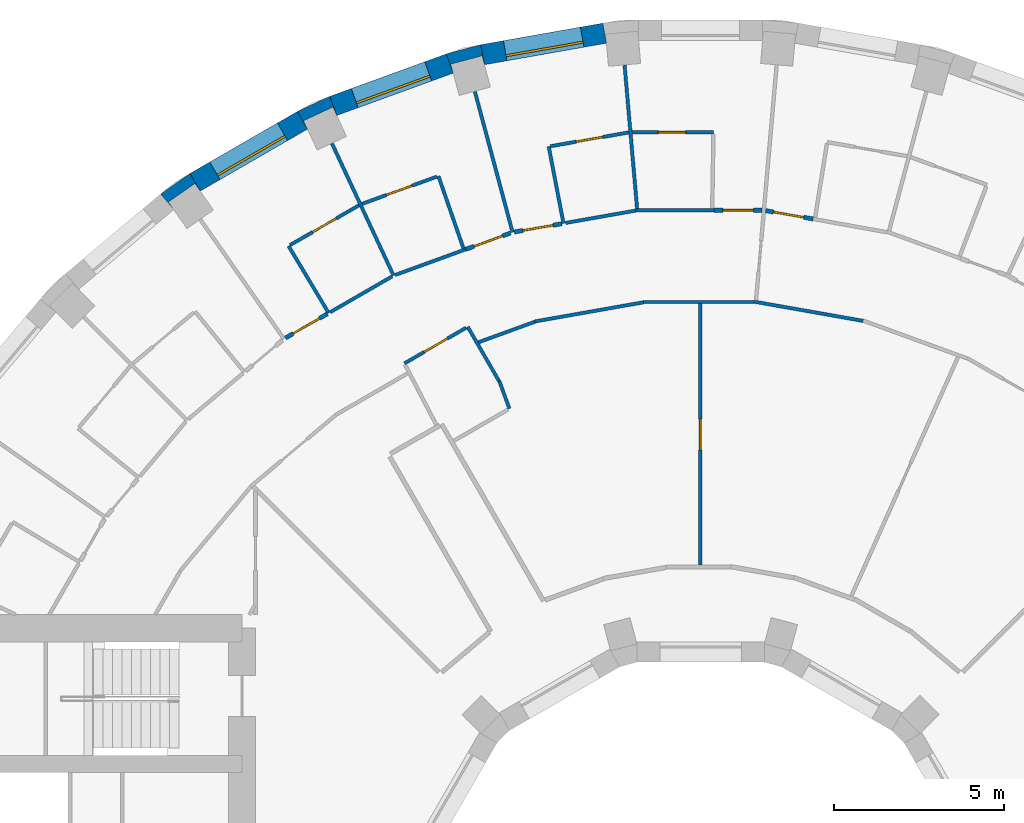
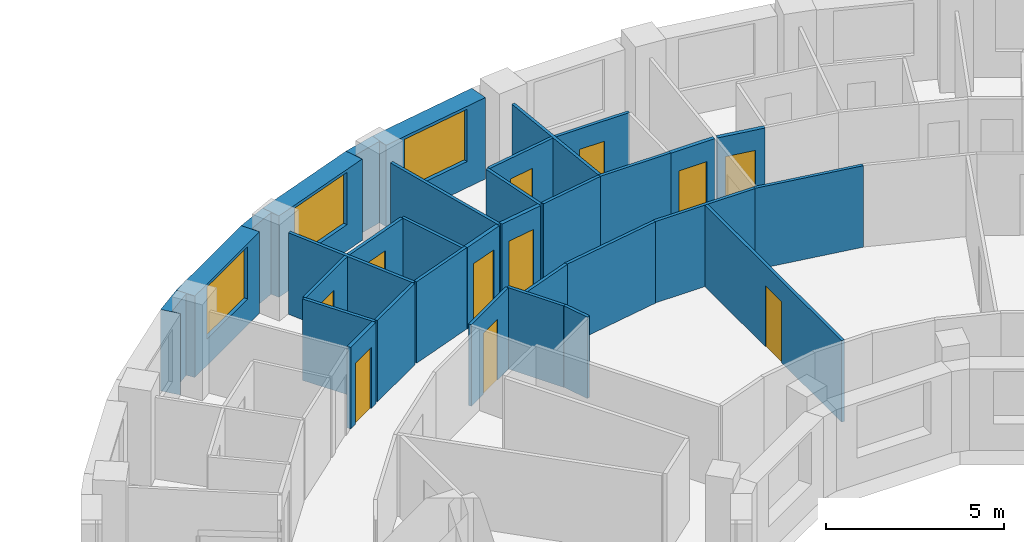
# One storey, part 9 of 13: 33 walls, 11 doors, 3 windows, 14 openings.
"""IFC4 building model written with IfcOpenShell, lengths in metres."""

from ifc_helpers import new_model, si_unit, direction, frame, frame_2d, origin, place, context, subcontext, project, spatial, polyline, rectangle, outline, extrude, material, layer, layer_set, type_object, element, fill, save


model = new_model("IFC4")

# Units and contexts
model_context = context("Model", 3, precision=1e-05, world=origin(), true_north=direction((0.0, 1.0)))
body_context = subcontext(model_context, "Body", "Model", "MODEL_VIEW")
ifc_project = project(units=[si_unit("LENGTHUNIT", "METRE"), si_unit("AREAUNIT", "SQUARE_METRE"), si_unit("VOLUMEUNIT", "CUBIC_METRE"), si_unit("PLANEANGLEUNIT", "RADIAN"), si_unit("MASSUNIT", "GRAM", prefix="KILO")], contexts=[model_context])

# Site, building, storey
site_placement = place(None, origin())
site = spatial("IfcSite", under=ifc_project, at=site_placement, CompositionType="ELEMENT")
building_placement = place(site_placement, origin())
building = spatial("IfcBuilding", under=site, at=building_placement, Name="Saqina Gate Tower", CompositionType="ELEMENT")
storey_placement = place(building_placement, frame((0.0, 0.0, 118.300048828125)))
storey = spatial("IfcBuildingStorey", under=building, at=storey_placement, Name="L33", CompositionType="ELEMENT", Elevation=118.300048828125)

# Walls
ifc_material_1 = material(Name="Brick masonry (buff)", Category="masonry")
wall_type_1 = type_object("IfcWallType", Name="BRICK PIER COPING BUFF", PredefinedType="SOLIDWALL", material=ifc_material_1)
wall_1_placement = place(storey_placement, origin())
element("IfcWall", 1, at=wall_1_placement, inside=storey, type_object=wall_type_1, Name="Pier cap L33 column 11", PredefinedType="SOLIDWALL", context=body_context, shape_type="SweptSolid", body=[
    extrude(outline(polyline([(-6.466796875, 26.171875), (-7.485595703125, 25.89892578125), (-7.2802734375, 25.335205078125), (-7.349853515625, 25.5947265625), (-6.43212890625, 25.8408203125), (-6.36279296875, 25.5810546875), (-6.466796875, 26.171875)])), origin(), (0.0, 0.0, 1.0), 2.800048828125),
])
wall_2_placement = place(storey_placement, origin())
element("IfcWall", 2, at=wall_2_placement, inside=storey, type_object=wall_type_1, Name="Pier cap L33 column 12", PredefinedType="SOLIDWALL", context=body_context, shape_type="SweptSolid", body=[
    extrude(outline(polyline([(-10.913330078125, 24.6513671875), (-11.869140625, 24.205810546875), (-11.569091796875, 23.68603515625), (-11.6826171875, 23.9296875), (-10.82177734375, 24.331298828125), (-10.7080078125, 24.08740234375), (-10.913330078125, 24.6513671875)])), origin(), (0.0, 0.0, 1.0), 2.800048828125),
])
wall_3_placement = place(storey_placement, origin())
element("IfcWall", 3, at=wall_3_placement, inside=storey, type_object=wall_type_1, Name="Pier cap L33 column 13", PredefinedType="SOLIDWALL", context=body_context, shape_type="SweptSolid", body=[
    extrude(outline(polyline([(-15.89208984375, 21.77685546875), (-15.50634765625, 21.317138671875), (-15.66064453125, 21.53759765625), (-14.88232421875, 22.08251953125), (-14.728271484375, 21.862060546875), (-15.0283203125, 22.3818359375), (-15.89208984375, 21.77685546875)])), origin(), (0.0, 0.0, 1.0), 2.800048828125),
])

# Wall, opening, window
ifc_material_2 = material(Name="Brick masonry (buff)", Category="masonry")
ifc_layer_1 = layer(ifc_material_2, 0.60009765625)
ifc_layer_set_1 = layer_set([ifc_layer_1], Name="FW-BRICK-BUFF")
wall_type_2 = type_object("IfcWallType", Name="FW-BRICK-BUFF", PredefinedType="SOLIDWALL", material=ifc_layer_set_1)
wall_4_placement = place(storey_placement, frame((-2.822265625, 26.510009765625, 0.0), z_axis=(0.0, 0.0, 1.0), x_axis=(-0.984803764455, -0.173670796382, 0.0)))
wall_4 = element("IfcWall", 4, at=wall_4_placement, inside=storey, type_object=wall_type_2, Name="Facade wall L33 facet 10", PredefinedType="SOLIDWALL", context=body_context, shape_type="SweptSolid", body=[
    extrude(rectangle(XDim=3.64794921875, YDim=0.60009765625, at=frame_2d((1.823974609375, 0.0))), origin(), (0.0, 0.0, 1.0), 2.800048828125),
])
opening_1_placement = place(wall_4_placement, frame((0.673828125, 0.0, 0.89990234375)))
opening_1 = element("IfcOpeningElement", 5, at=opening_1_placement, cuts=wall_4, Name="Opening G09-W08", PredefinedType="OPENING", context=body_context, shape_type="SweptSolid", body=[
    extrude(rectangle(XDim=2.300048828125, YDim=1.800048828125, at=frame_2d((1.14990234375, 0.89990234375))), frame((0.0, 0.31201171875, 0.0), z_axis=(0.0, -1.0, 0.0), x_axis=(1.0, 0.0, 0.0)), (0.0, 0.0, 1.0), 0.6240234375),
])
ifc_material_3 = material(Name="Aluminium glazing", Category="aluminium")
window_type = type_object("IfcWindowType", Name="WN-B", PartitioningType="SINGLE_PANEL", PredefinedType="WINDOW", material=ifc_material_3)
window_1_placement = place(opening_1_placement, origin())
window_1 = element("IfcWindow", 6, at=window_1_placement, inside=storey, type_object=window_type, Name="Window L33 facet 10", OverallHeight=1.800048828125, OverallWidth=2.300048828125, PartitioningType="SINGLE_PANEL", PredefinedType="WINDOW", context=body_context, shape_type="SweptSolid", body=[
    extrude(rectangle(XDim=2.300048828125, YDim=1.800048828125, at=frame_2d((1.14990234375, 0.89990234375))), frame((0.0, 0.179931640625, 0.0), z_axis=(0.0, -1.0, 0.0), x_axis=(1.0, 0.0, 0.0)), (0.0, 0.0, 1.0), 0.06005859375),
])
fill(opening_1, window_1)

wall_5_placement = place(storey_placement, frame((-7.3828125, 25.616943359375, 0.0), z_axis=(0.0, 0.0, 1.0), x_axis=(-0.939703505393, -0.341990236633, 0.0)))
wall_5 = element("IfcWall", 7, at=wall_5_placement, inside=storey, type_object=wall_type_2, Name="Facade wall L33 facet 11", PredefinedType="SOLIDWALL", context=body_context, shape_type="SweptSolid", body=[
    extrude(rectangle(XDim=3.64794921875, YDim=0.60009765625, at=frame_2d((1.823974609375, 0.0))), origin(), (0.0, 0.0, 1.0), 2.800048828125),
])
opening_2_placement = place(wall_5_placement, frame((0.673828125, 0.0, 0.89990234375)))
opening_2 = element("IfcOpeningElement", 8, at=opening_2_placement, cuts=wall_5, Name="Opening G09-W09", PredefinedType="OPENING", context=body_context, shape_type="SweptSolid", body=[
    extrude(rectangle(XDim=2.300048828125, YDim=1.800048828125, at=frame_2d((1.14990234375, 0.89990234375))), frame((0.0, 0.31201171875, 0.0), z_axis=(0.0, -1.0, 0.0), x_axis=(1.0, 0.0, 0.0)), (0.0, 0.0, 1.0), 0.6240234375),
])
window_2_placement = place(opening_2_placement, origin())
window_2 = element("IfcWindow", 9, at=window_2_placement, inside=storey, type_object=window_type, Name="Window L33 facet 11", OverallHeight=1.800048828125, OverallWidth=2.300048828125, PartitioningType="SINGLE_PANEL", PredefinedType="WINDOW", context=body_context, shape_type="SweptSolid", body=[
    extrude(rectangle(XDim=2.300048828125, YDim=1.800048828125, at=frame_2d((1.14990234375, 0.89990234375))), frame((0.0, 0.179931640625, 0.0), z_axis=(0.0, -1.0, 0.0), x_axis=(1.0, 0.0, 0.0)), (0.0, 0.0, 1.0), 0.06005859375),
])
fill(opening_2, window_2)

wall_6_placement = place(storey_placement, frame((-11.718994140625, 23.94580078125, 0.0), z_axis=(0.0, 0.0, 1.0), x_axis=(-0.866051847062, -0.499954196102, 0.0)))
wall_6 = element("IfcWall", 10, at=wall_6_placement, inside=storey, type_object=wall_type_2, Name="Facade wall L33 facet 12", PredefinedType="SOLIDWALL", context=body_context, shape_type="SweptSolid", body=[
    extrude(rectangle(XDim=3.647705078125, YDim=0.60009765625, at=frame_2d((1.82373046875, 0.0))), origin(), (0.0, 0.0, 1.0), 2.800048828125),
])
opening_3_placement = place(wall_6_placement, frame((0.673828125, 0.0, 0.89990234375)))
opening_3 = element("IfcOpeningElement", 11, at=opening_3_placement, cuts=wall_6, Name="Opening G09-W10", PredefinedType="OPENING", context=body_context, shape_type="SweptSolid", body=[
    extrude(rectangle(XDim=2.300048828125, YDim=1.800048828125, at=frame_2d((1.14990234375, 0.89990234375))), frame((0.0, 0.31201171875, 0.0), z_axis=(0.0, -1.0, 0.0), x_axis=(1.0, 0.0, 0.0)), (0.0, 0.0, 1.0), 0.6240234375),
])
window_3_placement = place(opening_3_placement, origin())
window_3 = element("IfcWindow", 12, at=window_3_placement, inside=storey, type_object=window_type, Name="Window L33 facet 12", OverallHeight=1.800048828125, OverallWidth=2.300048828125, PartitioningType="SINGLE_PANEL", PredefinedType="WINDOW", context=body_context, shape_type="SweptSolid", body=[
    extrude(rectangle(XDim=2.300048828125, YDim=1.800048828125, at=frame_2d((1.14990234375, 0.89990234375))), frame((0.0, 0.179931640625, 0.0), z_axis=(0.0, -1.0, 0.0), x_axis=(1.0, 0.0, 0.0)), (0.0, 0.0, 1.0), 0.06005859375),
])
fill(opening_3, window_3)

# Wall, opening, door
ifc_material_4 = material(Name="Gypsum board on steel studs, 100 mm", Category="steel")
ifc_layer_2 = layer(ifc_material_4, 0.10009765625)
ifc_layer_set_2 = layer_set([ifc_layer_2], Name="PARTITION 100")
wall_type_3 = type_object("IfcWallType", Name="PARTITION 100", PredefinedType="PARTITIONING", material=ifc_layer_set_2)
wall_7_placement = place(storey_placement, frame((-0.010986328125, 18.549072265625, 0.0), z_axis=(0.0, 0.0, 1.0), x_axis=(0.00063524317, -0.999999798233, 0.0)))
wall_7 = element("IfcWall", 13, at=wall_7_placement, inside=storey, type_object=wall_type_3, Name="PARTITION PW3-01", PredefinedType="PARTITIONING", context=body_context, shape_type="SweptSolid", body=[
    extrude(rectangle(XDim=7.6865234375, YDim=0.10009765625, at=frame_2d((3.84326171875, 0.0))), origin(), (0.0, 0.0, 1.0), 2.800048828125),
])
opening_4_placement = place(wall_7_placement, frame((3.400390625, 0.0, 0.0)))
opening_4 = element("IfcOpeningElement", 14, at=opening_4_placement, cuts=wall_7, Name="Opening G09-D12", PredefinedType="OPENING", context=body_context, shape_type="SweptSolid", body=[
    extrude(rectangle(XDim=0.89990234375, YDim=2.10009765625, at=frame_2d((0.449951171875, 1.050048828125))), frame((0.0, 0.06201171875, 0.0), z_axis=(0.0, -1.0, 0.0), x_axis=(1.0, 0.0, 0.0)), (0.0, 0.0, 1.0), 0.1240234375),
])
ifc_material_5 = material(Name="Timber door leaf, 900 mm", Category="wood")
door_type_1 = type_object("IfcDoorType", Name="DOOR 900 TIMBER", OperationType="SINGLE_SWING_LEFT", PredefinedType="DOOR", material=ifc_material_5)
door_1_placement = place(opening_4_placement, frame((0.89990234375, 0.0, 0.0), z_axis=(0.0, 0.0, 1.0), x_axis=(-1.0, 0.0, 0.0)))
door_1 = element("IfcDoor", 15, at=door_1_placement, inside=storey, type_object=door_type_1, Name="DOOR G09-D12", OperationType="SINGLE_SWING_LEFT", OverallHeight=2.10009765625, OverallWidth=0.89990234375, PredefinedType="DOOR", context=body_context, shape_type="SweptSolid", body=[
    extrude(rectangle(XDim=0.89990234375, YDim=2.10009765625, at=frame_2d((0.449951171875, 1.050048828125))), frame((0.0, 0.02490234375, 0.0), z_axis=(0.0, -1.0, 0.0), x_axis=(1.0, 0.0, 0.0)), (0.0, 0.0, 1.0), 0.050048828125),
])
fill(opening_4, door_1)

# Walls
wall_8_placement = place(storey_placement, frame((-2.2373046875, 25.5673828125, 0.0), z_axis=(0.0, 0.0, 1.0), x_axis=(0.087069733525, -0.996202219182, 0.0)))
element("IfcWall", 16, at=wall_8_placement, inside=storey, type_object=wall_type_3, Name="PARTITION PW3-03", PredefinedType="PARTITIONING", context=body_context, shape_type="SweptSolid", body=[
    extrude(rectangle(XDim=4.23681640625, YDim=0.10009765625, at=frame_2d((2.118408203125, 0.0))), origin(), (0.0, 0.0, 1.0), 2.800048828125),
])
wall_9_placement = place(storey_placement, frame((-4.469970703125, 23.173095703125, 0.0), z_axis=(0.0, 0.0, 1.0), x_axis=(0.189111104653, -0.981955696606, 0.0)))
element("IfcWall", 17, at=wall_9_placement, inside=storey, type_object=wall_type_3, Name="PARTITION PW3-05", PredefinedType="PARTITIONING", context=body_context, shape_type="SweptSolid", body=[
    extrude(rectangle(XDim=2.300537109375, YDim=0.10009765625, at=frame_2d((1.150390625, 0.0))), origin(), (0.0, 0.0, 1.0), 2.800048828125),
])
wall_10_placement = place(storey_placement, frame((-6.642333984375, 24.79052734375, 0.0), z_axis=(0.0, 0.0, 1.0), x_axis=(0.258796817064, -0.965931782, 0.0)))
element("IfcWall", 18, at=wall_10_placement, inside=storey, type_object=wall_type_3, Name="PARTITION PW3-06", PredefinedType="PARTITIONING", context=body_context, shape_type="SweptSolid", body=[
    extrude(rectangle(XDim=4.28662109375, YDim=0.10009765625, at=frame_2d((2.143310546875, 0.0))), origin(), (0.0, 0.0, 1.0), 2.800048828125),
])
wall_11_placement = place(storey_placement, frame((-7.715087890625, 22.303955078125, 0.0), z_axis=(0.0, 0.0, 1.0), x_axis=(0.326980146938, -0.94503120769, 0.0)))
element("IfcWall", 19, at=wall_11_placement, inside=storey, type_object=wall_type_3, Name="PARTITION PW3-07", PredefinedType="PARTITIONING", context=body_context, shape_type="SweptSolid", body=[
    extrude(rectangle(XDim=2.25048828125, YDim=0.10009765625, at=frame_2d((1.125244140625, 0.0))), origin(), (0.0, 0.0, 1.0), 2.800048828125),
])
wall_12_placement = place(storey_placement, frame((-5.92529296875, 16.27880859375, 0.0), z_axis=(0.0, 0.0, 1.0), x_axis=(0.3425983225, -0.939481979295, 0.0)))
element("IfcWall", 20, at=wall_12_placement, inside=storey, type_object=wall_type_3, Name="PARTITION PW3-08", PredefinedType="PARTITIONING", context=body_context, shape_type="SweptSolid", body=[
    extrude(rectangle(XDim=0.870849609375, YDim=0.10009765625, at=frame_2d((0.435546875, 0.0))), origin(), (0.0, 0.0, 1.0), 2.800048828125),
])
wall_13_placement = place(storey_placement, frame((-10.84716796875, 23.260009765625, 0.0), z_axis=(0.0, 0.0, 1.0), x_axis=(0.422829334028, -0.906209332487, 0.0)))
element("IfcWall", 21, at=wall_13_placement, inside=storey, type_object=wall_type_3, Name="PARTITION PW3-09", PredefinedType="PARTITIONING", context=body_context, shape_type="SweptSolid", body=[
    extrude(rectangle(XDim=4.2861328125, YDim=0.10009765625, at=frame_2d((2.14306640625, 0.0))), origin(), (0.0, 0.0, 1.0), 2.800048828125),
])
wall_14_placement = place(storey_placement, frame((-6.85302734375, 17.867919921875, 0.0), z_axis=(0.0, 0.0, 1.0), x_axis=(0.499963655964, -0.866046386007, 0.0)))
element("IfcWall", 22, at=wall_14_placement, inside=storey, type_object=wall_type_3, Name="PARTITION PW3-13", PredefinedType="PARTITIONING", context=body_context, shape_type="SweptSolid", body=[
    extrude(rectangle(XDim=1.840087890625, YDim=0.10009765625, at=frame_2d((0.919921875, 0.0))), origin(), (0.0, 0.0, 1.0), 2.800048828125),
])
wall_15_placement = place(storey_placement, frame((-12.1259765625, 20.2470703125, 0.0), z_axis=(0.0, 0.0, 1.0), x_axis=(0.513668498435, -0.857988737522, 0.0)))
element("IfcWall", 23, at=wall_15_placement, inside=storey, type_object=wall_type_3, Name="PARTITION PW3-15", PredefinedType="PARTITIONING", context=body_context, shape_type="SweptSolid", body=[
    extrude(rectangle(XDim=2.30078125, YDim=0.10009765625, at=frame_2d((1.150390625, 0.0))), origin(), (0.0, 0.0, 1.0), 2.800048828125),
])
wall_16_placement = place(storey_placement, frame((1.576904296875, 18.60791015625, 0.0), z_axis=(0.0, 0.0, 1.0), x_axis=(0.984812236301, -0.173622749755, 0.0)))
element("IfcWall", 24, at=wall_16_placement, inside=storey, type_object=wall_type_3, Name="PARTITION PW3-49", PredefinedType="PARTITIONING", context=body_context, shape_type="SweptSolid", body=[
    extrude(rectangle(XDim=3.25537109375, YDim=0.10009765625, at=frame_2d((1.627685546875, 0.0))), origin(), (0.0, 0.0, 1.0), 2.800048828125),
])
wall_17_placement = place(storey_placement, frame((-1.677734375, 18.59912109375, 0.0), z_axis=(0.0, 0.0, 1.0), x_axis=(1.0, 0.0, 0.0)))
element("IfcWall", 25, at=wall_17_placement, inside=storey, type_object=wall_type_3, Name="PARTITION PW3-55", PredefinedType="PARTITIONING", context=body_context, shape_type="SweptSolid", body=[
    extrude(rectangle(XDim=3.254638671875, YDim=0.10009765625, at=frame_2d((1.62744140625, 0.0))), origin(), (0.0, 0.0, 1.0), 2.800048828125),
])
wall_18_placement = place(storey_placement, frame((-1.913818359375, 21.297119140625, 0.0), z_axis=(0.0, 0.0, 1.0), x_axis=(1.0, 0.0, 0.0)))
element("IfcWall", 26, at=wall_18_placement, inside=storey, type_object=wall_type_3, Name="PARTITION PW3-56", PredefinedType="PARTITIONING", context=body_context, shape_type="SweptSolid", body=[
    extrude(rectangle(XDim=2.304931640625, YDim=0.10009765625, at=frame_2d((1.15234375, 0.0))), origin(), (0.0, 0.0, 1.0), 2.800048828125),
])

# Wall, opening, door
wall_19_placement = place(storey_placement, frame((-2.013916015625, 23.596923828125, 0.0), z_axis=(0.0, 0.0, 1.0), x_axis=(1.0, 0.0, 0.0)))
wall_19 = element("IfcWall", 27, at=wall_19_placement, inside=storey, type_object=wall_type_3, Name="PARTITION PW3-57", PredefinedType="PARTITIONING", context=body_context, shape_type="SweptSolid", body=[
    extrude(rectangle(XDim=2.391845703125, YDim=0.10009765625, at=frame_2d((1.19580078125, 0.0))), origin(), (0.0, 0.0, 1.0), 2.800048828125),
])
opening_5_placement = place(wall_19_placement, frame((0.77099609375, 0.0, 0.0)))
opening_5 = element("IfcOpeningElement", 28, at=opening_5_placement, cuts=wall_19, Name="Opening G09-D13", PredefinedType="OPENING", context=body_context, shape_type="SweptSolid", body=[
    extrude(rectangle(XDim=0.800048828125, YDim=2.10009765625, at=frame_2d((0.39990234375, 1.050048828125))), frame((0.0, 0.06201171875, 0.0), z_axis=(0.0, -1.0, 0.0), x_axis=(1.0, 0.0, 0.0)), (0.0, 0.0, 1.0), 0.1240234375),
])
ifc_material_6 = material(Name="Timber door leaf, 800 mm", Category="wood")
door_type_2 = type_object("IfcDoorType", Name="DOOR 800 TIMBER", OperationType="SINGLE_SWING_LEFT", PredefinedType="DOOR", material=ifc_material_6)
door_2_placement = place(opening_5_placement, origin())
door_2 = element("IfcDoor", 29, at=door_2_placement, inside=storey, type_object=door_type_2, Name="DOOR G09-D13", OperationType="SINGLE_SWING_LEFT", OverallHeight=2.10009765625, OverallWidth=0.800048828125, PredefinedType="DOOR", context=body_context, shape_type="SweptSolid", body=[
    extrude(rectangle(XDim=0.800048828125, YDim=2.10009765625, at=frame_2d((0.39990234375, 1.050048828125))), frame((0.0, 0.02490234375, 0.0), z_axis=(0.0, -1.0, 0.0), x_axis=(1.0, 0.0, 0.0)), (0.0, 0.0, 1.0), 0.050048828125),
])
fill(opening_5, door_2)

# Walls
wall_20_placement = place(storey_placement, frame((-4.882080078125, 18.025146484375, 0.0), z_axis=(0.0, 0.0, 1.0), x_axis=(0.984812236301, 0.173622749755, 0.0)))
element("IfcWall", 30, at=wall_20_placement, inside=storey, type_object=wall_type_3, Name="PARTITION PW3-61", PredefinedType="PARTITIONING", context=body_context, shape_type="SweptSolid", body=[
    extrude(rectangle(XDim=3.25537109375, YDim=0.10009765625, at=frame_2d((1.627685546875, 0.0))), origin(), (0.0, 0.0, 1.0), 2.800048828125),
])
wall_21_placement = place(storey_placement, frame((-3.973388671875, 20.9248046875, 0.0), z_axis=(0.0, 0.0, 1.0), x_axis=(0.984798821906, 0.173698820874, 0.0)))
element("IfcWall", 31, at=wall_21_placement, inside=storey, type_object=wall_type_3, Name="PARTITION PW3-62", PredefinedType="PARTITIONING", context=body_context, shape_type="SweptSolid", body=[
    extrude(rectangle(XDim=2.0927734375, YDim=0.10009765625, at=frame_2d((1.04638671875, 0.0))), origin(), (0.0, 0.0, 1.0), 2.800048828125),
])

# Wall, opening, door
wall_22_placement = place(storey_placement, frame((-4.420654296875, 23.181640625, 0.0), z_axis=(0.0, 0.0, 1.0), x_axis=(0.98481606109, 0.173601053621, 0.0)))
wall_22 = element("IfcWall", 32, at=wall_22_placement, inside=storey, type_object=wall_type_3, Name="PARTITION PW3-63", PredefinedType="PARTITIONING", context=body_context, shape_type="SweptSolid", body=[
    extrude(rectangle(XDim=2.343017578125, YDim=0.10009765625, at=frame_2d((1.17138671875, 0.0))), origin(), (0.0, 0.0, 1.0), 2.800048828125),
])
opening_6_placement = place(wall_22_placement, frame((0.771484375, 0.0, 0.0)))
opening_6 = element("IfcOpeningElement", 33, at=opening_6_placement, cuts=wall_22, Name="Opening G09-D14", PredefinedType="OPENING", context=body_context, shape_type="SweptSolid", body=[
    extrude(rectangle(XDim=0.800048828125, YDim=2.10009765625, at=frame_2d((0.39990234375, 1.050048828125))), frame((0.0, 0.06201171875, 0.0), z_axis=(0.0, -1.0, 0.0), x_axis=(1.0, 0.0, 0.0)), (0.0, 0.0, 1.0), 0.1240234375),
])
door_3_placement = place(opening_6_placement, origin())
door_3 = element("IfcDoor", 34, at=door_3_placement, inside=storey, type_object=door_type_2, Name="DOOR G09-D14", OperationType="SINGLE_SWING_LEFT", OverallHeight=2.10009765625, OverallWidth=0.800048828125, PredefinedType="DOOR", context=body_context, shape_type="SweptSolid", body=[
    extrude(rectangle(XDim=0.800048828125, YDim=2.10009765625, at=frame_2d((0.39990234375, 1.050048828125))), frame((0.0, 0.02490234375, 0.0), z_axis=(0.0, -1.0, 0.0), x_axis=(1.0, 0.0, 0.0)), (0.0, 0.0, 1.0), 0.050048828125),
])
fill(opening_6, door_3)

# Walls
wall_23_placement = place(storey_placement, frame((-6.533935546875, 17.4140625, 0.0), z_axis=(0.0, 0.0, 1.0), x_axis=(0.93961928365, 0.342221568275, 0.0)))
element("IfcWall", 35, at=wall_23_placement, inside=storey, type_object=wall_type_3, Name="PARTITION PW3-64", PredefinedType="PARTITIONING", context=body_context, shape_type="SweptSolid", body=[
    extrude(rectangle(XDim=1.761474609375, YDim=0.10009765625, at=frame_2d((0.880859375, 0.0))), origin(), (0.0, 0.0, 1.0), 2.800048828125),
])
wall_24_placement = place(storey_placement, frame((-8.988037109375, 19.39306640625, 0.0), z_axis=(0.0, 0.0, 1.0), x_axis=(0.939693168022, 0.342018639804, 0.0)))
element("IfcWall", 36, at=wall_24_placement, inside=storey, type_object=wall_type_3, Name="PARTITION PW3-65", PredefinedType="PARTITIONING", context=body_context, shape_type="SweptSolid", body=[
    extrude(rectangle(XDim=2.205078125, YDim=0.10009765625, at=frame_2d((1.1025390625, 0.0))), origin(), (0.0, 0.0, 1.0), 2.800048828125),
])

# Wall, opening, door
wall_25_placement = place(storey_placement, frame((-9.964111328125, 21.485107421875, 0.0), z_axis=(0.0, 0.0, 1.0), x_axis=(0.939659520623, 0.342111071588, 0.0)))
wall_25 = element("IfcWall", 37, at=wall_25_placement, inside=storey, type_object=wall_type_3, Name="PARTITION PW3-66", PredefinedType="PARTITIONING", context=body_context, shape_type="SweptSolid", body=[
    extrude(rectangle(XDim=2.343505859375, YDim=0.10009765625, at=frame_2d((1.171875, 0.0))), origin(), (0.0, 0.0, 1.0), 2.800048828125),
])
opening_7_placement = place(wall_25_placement, frame((0.771728515625, 0.0, 0.0)))
opening_7 = element("IfcOpeningElement", 38, at=opening_7_placement, cuts=wall_25, Name="Opening G09-D17", PredefinedType="OPENING", context=body_context, shape_type="SweptSolid", body=[
    extrude(rectangle(XDim=0.800048828125, YDim=2.10009765625, at=frame_2d((0.39990234375, 1.050048828125))), frame((0.0, 0.06201171875, 0.0), z_axis=(0.0, -1.0, 0.0), x_axis=(1.0, 0.0, 0.0)), (0.0, 0.0, 1.0), 0.1240234375),
])
door_4_placement = place(opening_7_placement, origin())
door_4 = element("IfcDoor", 39, at=door_4_placement, inside=storey, type_object=door_type_2, Name="DOOR G09-D17", OperationType="SINGLE_SWING_LEFT", OverallHeight=2.10009765625, OverallWidth=0.800048828125, PredefinedType="DOOR", context=body_context, shape_type="SweptSolid", body=[
    extrude(rectangle(XDim=0.800048828125, YDim=2.10009765625, at=frame_2d((0.39990234375, 1.050048828125))), frame((0.0, 0.02490234375, 0.0), z_axis=(0.0, -1.0, 0.0), x_axis=(1.0, 0.0, 0.0)), (0.0, 0.0, 1.0), 0.050048828125),
])
fill(opening_7, door_4)

wall_26_placement = place(storey_placement, frame((-8.717041015625, 16.791015625, 0.0), z_axis=(0.0, 0.0, 1.0), x_axis=(0.865866191869, 0.50027566179, 0.0)))
wall_26 = element("IfcWall", 40, at=wall_26_placement, inside=storey, type_object=wall_type_3, Name="PARTITION PW3-69", PredefinedType="PARTITIONING", context=body_context, shape_type="SweptSolid", body=[
    extrude(rectangle(XDim=2.100830078125, YDim=0.10009765625, at=frame_2d((1.05029296875, 0.0))), origin(), (0.0, 0.0, 1.0), 2.800048828125),
])
opening_8_placement = place(wall_26_placement, frame((0.676513671875, 0.0, 0.0)))
opening_8 = element("IfcOpeningElement", 41, at=opening_8_placement, cuts=wall_26, Name="Opening G09-D18", PredefinedType="OPENING", context=body_context, shape_type="SweptSolid", body=[
    extrude(rectangle(XDim=0.800048828125, YDim=2.10009765625, at=frame_2d((0.39990234375, 1.050048828125))), frame((0.0, 0.06201171875, 0.0), z_axis=(0.0, -1.0, 0.0), x_axis=(1.0, 0.0, 0.0)), (0.0, 0.0, 1.0), 0.1240234375),
])
door_5_placement = place(opening_8_placement, origin())
door_5 = element("IfcDoor", 42, at=door_5_placement, inside=storey, type_object=door_type_2, Name="DOOR G09-D18", OperationType="SINGLE_SWING_RIGHT", OverallHeight=2.10009765625, OverallWidth=0.800048828125, PredefinedType="DOOR", context=body_context, shape_type="SweptSolid", body=[
    extrude(rectangle(XDim=0.800048828125, YDim=2.10009765625, at=frame_2d((0.39990234375, 1.050048828125))), frame((0.0, 0.02490234375, 0.0), z_axis=(0.0, -1.0, 0.0), x_axis=(1.0, 0.0, 0.0)), (0.0, 0.0, 1.0), 0.050048828125),
])
fill(opening_8, door_5)

# Wall
wall_27_placement = place(storey_placement, frame((-10.900634765625, 18.298095703125, 0.0), z_axis=(0.0, 0.0, 1.0), x_axis=(0.865841622723, 0.50031818312, 0.0)))
element("IfcWall", 43, at=wall_27_placement, inside=storey, type_object=wall_type_3, Name="PARTITION PW3-70", PredefinedType="PARTITIONING", context=body_context, shape_type="SweptSolid", body=[
    extrude(rectangle(XDim=2.104736328125, YDim=0.10009765625, at=frame_2d((1.05224609375, 0.0))), origin(), (0.0, 0.0, 1.0), 2.800048828125),
])

# Wall, opening, door
wall_28_placement = place(storey_placement, frame((-12.082763671875, 20.27197265625, 0.0), z_axis=(0.0, 0.0, 1.0), x_axis=(0.86603458294, 0.499984100898, 0.0)))
wall_28 = element("IfcWall", 44, at=wall_28_placement, inside=storey, type_object=wall_type_3, Name="PARTITION PW3-71", PredefinedType="PARTITIONING", context=body_context, shape_type="SweptSolid", body=[
    extrude(rectangle(XDim=2.34228515625, YDim=0.10009765625, at=frame_2d((1.171142578125, 0.0))), origin(), (0.0, 0.0, 1.0), 2.800048828125),
])
opening_9_placement = place(wall_28_placement, frame((0.77099609375, 0.0, 0.0)))
opening_9 = element("IfcOpeningElement", 45, at=opening_9_placement, cuts=wall_28, Name="Opening G09-D19", PredefinedType="OPENING", context=body_context, shape_type="SweptSolid", body=[
    extrude(rectangle(XDim=0.800048828125, YDim=2.10009765625, at=frame_2d((0.39990234375, 1.050048828125))), frame((0.0, 0.06201171875, 0.0), z_axis=(0.0, -1.0, 0.0), x_axis=(1.0, 0.0, 0.0)), (0.0, 0.0, 1.0), 0.1240234375),
])
door_6_placement = place(opening_9_placement, origin())
door_6 = element("IfcDoor", 46, at=door_6_placement, inside=storey, type_object=door_type_2, Name="DOOR G09-D19", OperationType="SINGLE_SWING_RIGHT", OverallHeight=2.10009765625, OverallWidth=0.800048828125, PredefinedType="DOOR", context=body_context, shape_type="SweptSolid", body=[
    extrude(rectangle(XDim=0.800048828125, YDim=2.10009765625, at=frame_2d((0.39990234375, 1.050048828125))), frame((0.0, 0.02490234375, 0.0), z_axis=(0.0, -1.0, 0.0), x_axis=(1.0, 0.0, 0.0)), (0.0, 0.0, 1.0), 0.050048828125),
])
fill(opening_9, door_6)

ifc_material_7 = material(Name="Gypsum board on steel studs, 125 mm, fire rated", Category="steel")
ifc_layer_3 = layer(ifc_material_7, 0.125)
ifc_layer_set_3 = layer_set([ifc_layer_3], Name="PARTITION EI 30 125")
wall_type_4 = type_object("IfcWallType", Name="PARTITION EI 30 125", PredefinedType="PARTITIONING", material=ifc_layer_set_3)
wall_29_placement = place(storey_placement, frame((1.912353515625, 21.288330078125, 0.0), z_axis=(0.0, 0.0, 1.0), x_axis=(0.984849170905, -0.173413121097, 0.0)))
wall_29 = element("IfcWall", 47, at=wall_29_placement, inside=storey, type_object=wall_type_4, Name="PARTITION PW1-22", PredefinedType="PARTITIONING", context=body_context, shape_type="SweptSolid", body=[
    extrude(rectangle(XDim=1.421875, YDim=0.125, at=frame_2d((0.7109375, 0.0))), origin(), (0.0, 0.0, 1.0), 2.800048828125),
])
opening_10_placement = place(wall_29_placement, frame((0.2373046875, 0.0, 0.0)))
opening_10 = element("IfcOpeningElement", 48, at=opening_10_placement, cuts=wall_29, Name="Opening G09-D09", PredefinedType="OPENING", context=body_context, shape_type="SweptSolid", body=[
    extrude(rectangle(XDim=0.89990234375, YDim=2.10009765625, at=frame_2d((0.449951171875, 1.050048828125))), frame((0.0, 0.074462890625, 0.0), z_axis=(0.0, -1.0, 0.0), x_axis=(1.0, 0.0, 0.0)), (0.0, 0.0, 1.0), 0.14892578125),
])
ifc_material_8 = material(Name="Fire door leaf EI 30, 900 mm")
door_type_3 = type_object("IfcDoorType", Name="DOOR 900 EI 30", OperationType="SINGLE_SWING_LEFT", PredefinedType="DOOR", material=ifc_material_8)
door_7_placement = place(opening_10_placement, frame((0.89990234375, 0.0, 0.0), z_axis=(0.0, 0.0, 1.0), x_axis=(-1.0, 0.0, 0.0)))
door_7 = element("IfcDoor", 49, at=door_7_placement, inside=storey, type_object=door_type_3, Name="DOOR G09-D09", OperationType="SINGLE_SWING_RIGHT", OverallHeight=2.10009765625, OverallWidth=0.89990234375, PredefinedType="DOOR", context=body_context, shape_type="SweptSolid", body=[
    extrude(rectangle(XDim=0.89990234375, YDim=2.10009765625, at=frame_2d((0.449951171875, 1.050048828125))), frame((0.0, 0.02490234375, 0.0), z_axis=(0.0, -1.0, 0.0), x_axis=(1.0, 0.0, 0.0)), (0.0, 0.0, 1.0), 0.050048828125),
])
fill(opening_10, door_7)

wall_30_placement = place(storey_placement, frame((0.39111328125, 21.297119140625, 0.0), z_axis=(0.0, 0.0, 1.0), x_axis=(1.0, 0.0, 0.0)))
wall_30 = element("IfcWall", 50, at=wall_30_placement, inside=storey, type_object=wall_type_4, Name="PARTITION PW1-26", PredefinedType="PARTITIONING", context=body_context, shape_type="SweptSolid", body=[
    extrude(rectangle(XDim=1.421875, YDim=0.125, at=frame_2d((0.7109375, 0.0))), origin(), (0.0, 0.0, 1.0), 2.800048828125),
])
opening_11_placement = place(wall_30_placement, frame((0.260986328125, 0.0, 0.0)))
opening_11 = element("IfcOpeningElement", 51, at=opening_11_placement, cuts=wall_30, Name="Opening G09-D11", PredefinedType="OPENING", context=body_context, shape_type="SweptSolid", body=[
    extrude(rectangle(XDim=0.89990234375, YDim=2.10009765625, at=frame_2d((0.449951171875, 1.050048828125))), frame((0.0, 0.074462890625, 0.0), z_axis=(0.0, -1.0, 0.0), x_axis=(1.0, 0.0, 0.0)), (0.0, 0.0, 1.0), 0.14892578125),
])
door_8_placement = place(opening_11_placement, frame((0.89990234375, 0.0, 0.0), z_axis=(0.0, 0.0, 1.0), x_axis=(-1.0, 0.0, 0.0)))
door_8 = element("IfcDoor", 52, at=door_8_placement, inside=storey, type_object=door_type_3, Name="DOOR G09-D11", OperationType="SINGLE_SWING_LEFT", OverallHeight=2.10009765625, OverallWidth=0.89990234375, PredefinedType="DOOR", context=body_context, shape_type="SweptSolid", body=[
    extrude(rectangle(XDim=0.89990234375, YDim=2.10009765625, at=frame_2d((0.449951171875, 1.050048828125))), frame((0.0, 0.02490234375, 0.0), z_axis=(0.0, -1.0, 0.0), x_axis=(1.0, 0.0, 0.0)), (0.0, 0.0, 1.0), 0.050048828125),
])
fill(opening_11, door_8)

wall_31_placement = place(storey_placement, frame((-5.483642578125, 20.658447265625, 0.0), z_axis=(0.0, 0.0, 1.0), x_axis=(0.985189047637, 0.17147168984, 0.0)))
wall_31 = element("IfcWall", 53, at=wall_31_placement, inside=storey, type_object=wall_type_4, Name="PARTITION PW1-27", PredefinedType="PARTITIONING", context=body_context, shape_type="SweptSolid", body=[
    extrude(rectangle(XDim=1.4208984375, YDim=0.125, at=frame_2d((0.71044921875, 0.0))), origin(), (0.0, 0.0, 1.0), 2.800048828125),
])
opening_12_placement = place(wall_31_placement, frame((0.260498046875, 0.0, 0.0)))
opening_12 = element("IfcOpeningElement", 54, at=opening_12_placement, cuts=wall_31, Name="Opening G09-D15", PredefinedType="OPENING", context=body_context, shape_type="SweptSolid", body=[
    extrude(rectangle(XDim=0.89990234375, YDim=2.10009765625, at=frame_2d((0.449951171875, 1.050048828125))), frame((0.0, 0.074462890625, 0.0), z_axis=(0.0, -1.0, 0.0), x_axis=(1.0, 0.0, 0.0)), (0.0, 0.0, 1.0), 0.14892578125),
])
door_9_placement = place(opening_12_placement, frame((0.89990234375, 0.0, 0.0), z_axis=(0.0, 0.0, 1.0), x_axis=(-1.0, 0.0, 0.0)))
door_9 = element("IfcDoor", 55, at=door_9_placement, inside=storey, type_object=door_type_3, Name="DOOR G09-D15", OperationType="SINGLE_SWING_RIGHT", OverallHeight=2.10009765625, OverallWidth=0.89990234375, PredefinedType="DOOR", context=body_context, shape_type="SweptSolid", body=[
    extrude(rectangle(XDim=0.89990234375, YDim=2.10009765625, at=frame_2d((0.449951171875, 1.050048828125))), frame((0.0, 0.02490234375, 0.0), z_axis=(0.0, -1.0, 0.0), x_axis=(1.0, 0.0, 0.0)), (0.0, 0.0, 1.0), 0.050048828125),
])
fill(opening_12, door_9)

wall_32_placement = place(storey_placement, frame((-6.916015625, 20.14697265625, 0.0), z_axis=(0.0, 0.0, 1.0), x_axis=(0.9397580078, 0.341840440522, 0.0)))
wall_32 = element("IfcWall", 56, at=wall_32_placement, inside=storey, type_object=wall_type_4, Name="PARTITION PW1-33", PredefinedType="PARTITIONING", context=body_context, shape_type="SweptSolid", body=[
    extrude(rectangle(XDim=1.4091796875, YDim=0.125, at=frame_2d((0.70458984375, 0.0))), origin(), (0.0, 0.0, 1.0), 2.800048828125),
])
opening_13_placement = place(wall_32_placement, frame((0.26025390625, 0.0, 0.0)))
opening_13 = element("IfcOpeningElement", 57, at=opening_13_placement, cuts=wall_32, Name="Opening G09-D16", PredefinedType="OPENING", context=body_context, shape_type="SweptSolid", body=[
    extrude(rectangle(XDim=0.89990234375, YDim=2.10009765625, at=frame_2d((0.449951171875, 1.050048828125))), frame((0.0, 0.074462890625, 0.0), z_axis=(0.0, -1.0, 0.0), x_axis=(1.0, 0.0, 0.0)), (0.0, 0.0, 1.0), 0.14892578125),
])
door_10_placement = place(opening_13_placement, frame((0.89990234375, 0.0, 0.0), z_axis=(0.0, 0.0, 1.0), x_axis=(-1.0, 0.0, 0.0)))
door_10 = element("IfcDoor", 58, at=door_10_placement, inside=storey, type_object=door_type_3, Name="DOOR G09-D16", OperationType="SINGLE_SWING_LEFT", OverallHeight=2.10009765625, OverallWidth=0.89990234375, PredefinedType="DOOR", context=body_context, shape_type="SweptSolid", body=[
    extrude(rectangle(XDim=0.89990234375, YDim=2.10009765625, at=frame_2d((0.449951171875, 1.050048828125))), frame((0.0, 0.02490234375, 0.0), z_axis=(0.0, -1.0, 0.0), x_axis=(1.0, 0.0, 0.0)), (0.0, 0.0, 1.0), 0.050048828125),
])
fill(opening_13, door_10)

wall_33_placement = place(storey_placement, frame((-12.21875, 17.537109375, 0.0), z_axis=(0.0, 0.0, 1.0), x_axis=(0.866036909293, 0.499980071345, 0.0)))
wall_33 = element("IfcWall", 59, at=wall_33_placement, inside=storey, type_object=wall_type_4, Name="PARTITION PW1-36", PredefinedType="PARTITIONING", context=body_context, shape_type="SweptSolid", body=[
    extrude(rectangle(XDim=1.421875, YDim=0.125, at=frame_2d((0.7109375, 0.0))), origin(), (0.0, 0.0, 1.0), 2.800048828125),
])
opening_14_placement = place(wall_33_placement, frame((0.260986328125, 0.0, 0.0)))
opening_14 = element("IfcOpeningElement", 60, at=opening_14_placement, cuts=wall_33, Name="Opening G09-D20", PredefinedType="OPENING", context=body_context, shape_type="SweptSolid", body=[
    extrude(rectangle(XDim=0.89990234375, YDim=2.10009765625, at=frame_2d((0.449951171875, 1.050048828125))), frame((0.0, 0.074462890625, 0.0), z_axis=(0.0, -1.0, 0.0), x_axis=(1.0, 0.0, 0.0)), (0.0, 0.0, 1.0), 0.14892578125),
])
door_11_placement = place(opening_14_placement, frame((0.89990234375, 0.0, 0.0), z_axis=(0.0, 0.0, 1.0), x_axis=(-1.0, 0.0, 0.0)))
door_11 = element("IfcDoor", 61, at=door_11_placement, inside=storey, type_object=door_type_3, Name="DOOR G09-D20", OperationType="SINGLE_SWING_RIGHT", OverallHeight=2.10009765625, OverallWidth=0.89990234375, PredefinedType="DOOR", context=body_context, shape_type="SweptSolid", body=[
    extrude(rectangle(XDim=0.89990234375, YDim=2.10009765625, at=frame_2d((0.449951171875, 1.050048828125))), frame((0.0, 0.02490234375, 0.0), z_axis=(0.0, -1.0, 0.0), x_axis=(1.0, 0.0, 0.0)), (0.0, 0.0, 1.0), 0.050048828125),
])
fill(opening_14, door_11)

save(model, "model.ifc")
